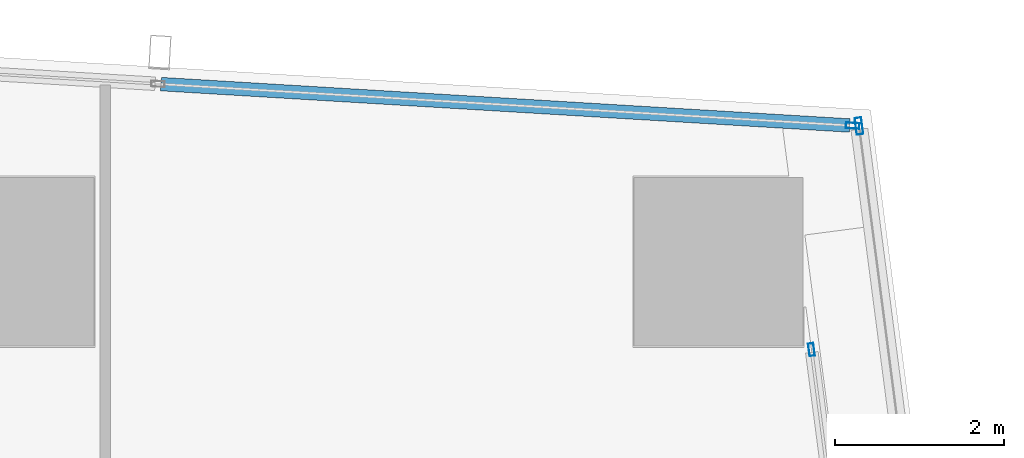
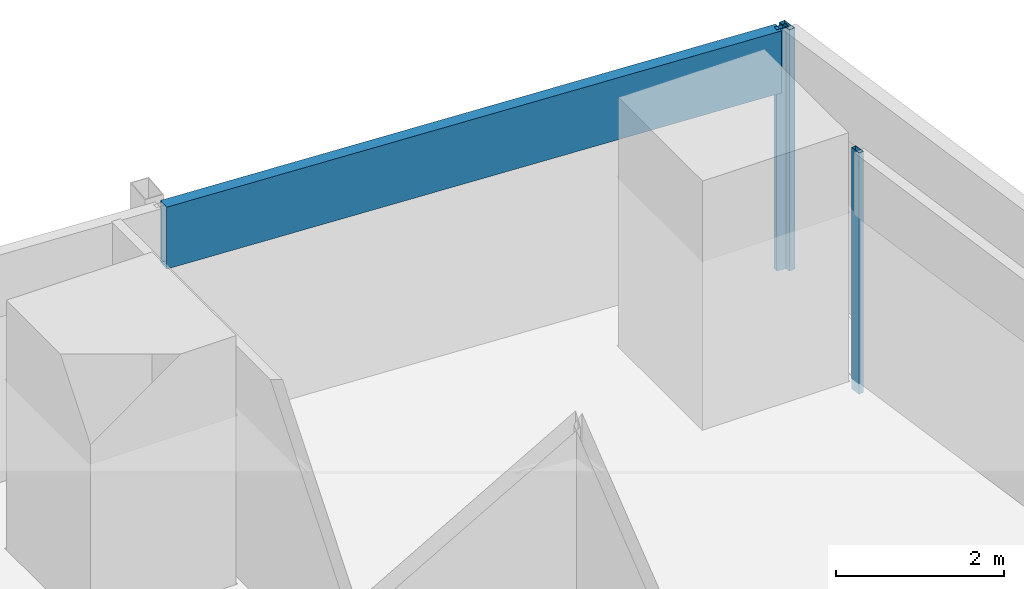
# One storey, part 20 of 39: 4 members, 3 elements without a shape of their own.
"""IFC4 building model written with IfcOpenShell, lengths in metres."""

import ifcopenshell
import ifcopenshell.guid

model = None  # the IFC model being written
_history = None  # IfcOwnerHistory: only IFC2X3 demands one
_inside = {}  # id of a spatial element -> (the spatial element, [elements in it])
_under = {}  # id of a project, library or spatial element -> (it, [spatial elements below it])
_declared = {}  # id of a project -> (the project, [libraries it declares])
_typed = {}  # id of a type object -> (the type object, [elements of that type])
_made_of = {}  # id of a material, layer set ... -> (it, [elements and type objects made of it])


def new_model(schema):
    """Start an empty IFC model of exactly this schema.

    Asked for "IFC4X3", IfcOpenShell would pick the latest addendum, in which some entities
    have other attributes; the version numbers below select the first issue.
    IFC2X3 requires an IfcOwnerHistory on every rooted entity: one is made here for all.
    """
    global model, _history
    if schema == "IFC4X3":
        model = ifcopenshell.file(schema_version=(4, 3, 0, 0))
    else:
        model = ifcopenshell.file(schema=schema)
    _inside.clear()
    _under.clear()
    _declared.clear()
    _typed.clear()
    _made_of.clear()
    _history = None
    if model.schema == "IFC2X3":
        org = make("IfcOrganization", Name="unknown")
        user = make(
            "IfcPersonAndOrganization",
            ThePerson=make("IfcPerson", FamilyName="unknown"),
            TheOrganization=org,
        )
        app = make(
            "IfcApplication",
            ApplicationDeveloper=org,
            Version="unknown",
            ApplicationFullName="unknown",
            ApplicationIdentifier="unknown",
        )
        _history = make(
            "IfcOwnerHistory",
            OwningUser=user,
            OwningApplication=app,
            ChangeAction="ADDED",
            CreationDate=0,
        )
    return model


def make(cls, **values):
    """One entity of the class cls with the attributes given. An attribute that is None is left unset."""
    return model.create_entity(
        cls, **{name: value for name, value in values.items() if value is not None}
    )


def rooted(cls, **values):
    """An entity with a GlobalId (a new one), such as an element, a storey or a relation."""
    return make(cls, GlobalId=ifcopenshell.guid.new(), OwnerHistory=_history, **values)


def si_unit(unit_type, name, prefix=None):
    """IfcSIUnit, for example si_unit("LENGTHUNIT", "METRE", prefix="MILLI")."""
    return make("IfcSIUnit", UnitType=unit_type, Prefix=prefix, Name=name)


def assignment(units):
    """IfcUnitAssignment: the units of a project."""
    return None if units is None else make("IfcUnitAssignment", Units=units)


def point(xyz):
    """IfcCartesianPoint."""
    return None if xyz is None else make("IfcCartesianPoint", Coordinates=xyz)


def direction(xyz):
    """IfcDirection."""
    return None if xyz is None else make("IfcDirection", DirectionRatios=xyz)


def frame(location, z_axis=None, x_axis=None):
    """IfcAxis2Placement3D, a coordinate frame: its origin and axes. An axis left out is left unset."""
    return make(
        "IfcAxis2Placement3D",
        Location=point(location),
        Axis=direction(z_axis),
        RefDirection=direction(x_axis),
    )


def frame_2d(location, x_axis=None):
    """IfcAxis2Placement2D, a coordinate frame in the plane: its origin and x axis."""
    return make(
        "IfcAxis2Placement2D", Location=point(location), RefDirection=direction(x_axis)
    )


def origin():
    """The frame at (0, 0, 0) with its axes left unset."""
    return frame((0.0, 0.0, 0.0))


def origin_2d():
    """The frame at (0, 0) in the plane with its x axis left unset."""
    return frame_2d((0.0, 0.0))


def place(relative_to, where):
    """IfcLocalPlacement: puts the frame where relative to a parent placement (None: the world)."""
    return make(
        "IfcLocalPlacement", PlacementRelTo=relative_to, RelativePlacement=where
    )


def context(
    kind, dimensions, precision=None, world=None, true_north=None, identifier=None
):
    """IfcGeometricRepresentationContext, for example the 3D "Model" context."""
    return make(
        "IfcGeometricRepresentationContext",
        ContextIdentifier=identifier,
        ContextType=kind,
        CoordinateSpaceDimension=dimensions,
        Precision=precision,
        WorldCoordinateSystem=world,
        TrueNorth=true_north,
    )


def subcontext(parent, identifier, kind, view, scale=None):
    """IfcGeometricRepresentationSubContext, for example "Body" below "Model"."""
    return make(
        "IfcGeometricRepresentationSubContext",
        ContextIdentifier=identifier,
        ContextType=kind,
        ParentContext=parent,
        TargetScale=scale,
        TargetView=view,
    )


def project(units=None, contexts=None):
    """IfcProject with its units and contexts."""
    return rooted(
        "IfcProject",
        Name="project",
        RepresentationContexts=contexts,
        UnitsInContext=assignment(units),
    )


def spatial(cls, under=None, at=None, **own):
    """A site, building, storey or space (cls), placed at a placement, below another one or the project."""
    s = rooted(cls, ObjectPlacement=at, **own)
    if under is not None:
        _under.setdefault(under.id(), (under, []))[1].append(s)
    return s


def profile(cls, at=None, kind="AREA", **sizes):
    """A parametric profile (cls). Its sizes go by their IFC names, for example OverallWidth=200.0."""
    return make(cls, ProfileType=kind, Position=at, **sizes)


def hollow_rectangle(**sizes):
    """IfcRectangleHollowProfileDef."""
    return profile("IfcRectangleHollowProfileDef", **sizes)


def extrude(swept, where, along, depth):
    """IfcExtrudedAreaSolid: the profile swept, set in the frame where, extruded along a direction by depth."""
    return make(
        "IfcExtrudedAreaSolid",
        SweptArea=swept,
        Position=where,
        ExtrudedDirection=direction(along),
        Depth=depth,
    )


def shape(context_of_items, identifier, shape_type, items):
    """IfcShapeRepresentation: the items that make up one representation, for example the "Body"."""
    return make(
        "IfcShapeRepresentation",
        ContextOfItems=context_of_items,
        RepresentationIdentifier=identifier,
        RepresentationType=shape_type,
        Items=items,
    )


def material(Name=None, Category=None):
    """IfcMaterial."""
    return make("IfcMaterial", Name=Name, Category=Category)


def material_profile(
    of_material, cross_section, Name=None, Category=None, Priority=None
):
    """IfcMaterialProfile: a cross section and its material."""
    return make(
        "IfcMaterialProfile",
        Name=Name,
        Material=of_material,
        Profile=cross_section,
        Priority=Priority,
        Category=Category,
    )


def profile_set(profiles, Name=None, composite=None):
    """IfcMaterialProfileSet."""
    return make(
        "IfcMaterialProfileSet",
        Name=Name,
        MaterialProfiles=profiles,
        CompositeProfile=composite,
    )


def made_of(thing, what):
    """Note that an element or type object is made of a material, layer set ...; save() writes the relation."""
    if what is not None:
        _made_of.setdefault(what.id(), (what, []))[1].append(thing)
    return thing


def type_object(cls, material=None, **own):
    """A type object (cls), such as IfcWallType, which elements share."""
    return made_of(rooted(cls, **own), material)


def element(
    cls,
    number,
    at=None,
    inside=None,
    cuts=None,
    type_object=None,
    material=None,
    context=None,
    identifier="Body",
    shape_type=None,
    held_by="IfcProductDefinitionShape",
    body=None,
    shapes=None,
    **own,
):
    """One element of the class cls, such as IfcWall. Its Tag is "e" and its number.

    at: its placement. inside: the storey or other place that contains it. cuts: it is an
    opening in that element (IfcRelVoidsElement). A single representation is given by context,
    identifier, shape_type and body (its items); several are given by shapes. held_by: the class
    of the entity that holds the representations. save() writes the other relations.
    """
    e = rooted(cls, Tag="e%d" % number, ObjectPlacement=at, **own)
    if body is not None:
        shapes = [shape(context, identifier, shape_type, body)]
    if shapes is not None:
        e.Representation = make(held_by, Representations=shapes)
    if inside is not None:
        _inside.setdefault(inside.id(), (inside, []))[1].append(e)
    if cuts is not None:
        rooted(
            "IfcRelVoidsElement", RelatingBuildingElement=cuts, RelatedOpeningElement=e
        )
    if type_object is not None:
        _typed.setdefault(type_object.id(), (type_object, []))[1].append(e)
    return made_of(e, material)


def aggregate(whole, parts):
    """IfcRelAggregates: a whole, such as a stair, and the parts it consists of."""
    return rooted("IfcRelAggregates", RelatingObject=whole, RelatedObjects=parts)


def save(model, path):
    """Write the relations noted so far, then the file.

    IfcRelAggregates (storeys below a building ...), IfcRelContainedInSpatialStructure (elements
    in a storey), IfcRelDefinesByType, IfcRelAssociatesMaterial and IfcRelDeclares: one each for
    every whole, place, type object, material and project.
    """
    for whole, parts in _under.values():
        aggregate(whole, parts)
    for where, things in _inside.values():
        rooted(
            "IfcRelContainedInSpatialStructure",
            RelatedElements=things,
            RelatingStructure=where,
        )
    for kind, things in _typed.values():
        rooted("IfcRelDefinesByType", RelatedObjects=things, RelatingType=kind)
    for what, things in _made_of.values():
        rooted("IfcRelAssociatesMaterial", RelatedObjects=things, RelatingMaterial=what)
    for by, libraries in _declared.values():
        rooted("IfcRelDeclares", RelatingContext=by, RelatedDefinitions=libraries)
    model.write(path)


model = new_model("IFC4")

# Units and contexts
model_context = context("Model", 3, precision=1e-05, world=origin(), true_north=direction((0.0, 1.0)))
body_context = subcontext(model_context, "Body", "Model", "MODEL_VIEW")
ifc_project = project(units=[si_unit("LENGTHUNIT", "METRE"), si_unit("AREAUNIT", "SQUARE_METRE"), si_unit("VOLUMEUNIT", "CUBIC_METRE"), si_unit("PLANEANGLEUNIT", "RADIAN"), si_unit("MASSUNIT", "GRAM", prefix="KILO")], contexts=[model_context])

# Site, building, storey
site_placement = place(None, origin())
site = spatial("IfcSite", under=ifc_project, at=site_placement, CompositionType="ELEMENT")
building_placement = place(site_placement, origin())
building = spatial("IfcBuilding", under=site, at=building_placement, Name="Rekha Terrace Tower", CompositionType="ELEMENT")
storey_placement = place(building_placement, frame((0.0, 0.0, 147.800048828125)))
storey = spatial("IfcBuildingStorey", under=building, at=storey_placement, Name="L37", CompositionType="ELEMENT", Elevation=147.800048828125)

# Curtain wall, member
ifc_material_1 = material(Name="Aluminium framing", Category="aluminium")
curtain_wall_type_1 = type_object("IfcCurtainWallType", Name="CW1 double skin inner glazing", PredefinedType="USERDEFINED", material=ifc_material_1)
curtain_wall_1_placement = place(storey_placement, origin())
curtain_wall_1 = element("IfcCurtainWall", 1, at=curtain_wall_1_placement, inside=storey, type_object=curtain_wall_type_1, Name="CW1 double skin inner glazing", ObjectType="DOUBLE SKIN INNER GLAZING", PredefinedType="USERDEFINED")
ifc_material_2 = material(Name="Aluminium mullion section", Category="aluminium")
ifc_material_profile_1 = material_profile(ifc_material_2, hollow_rectangle(XDim=0.06494140625, YDim=0.14990234375, WallThickness=0.00390625, at=origin_2d()), Name="AL RHS 65x150")
ifc_profile_set_1 = profile_set([ifc_material_profile_1], Name="Aluminium mullion section")
member_type_1 = type_object("IfcMemberType", Name="CW1 mullion RHS 65 x 150", PredefinedType="MULLION", material=ifc_profile_set_1)
member_1_placement = place(storey_placement, frame((68.30078125, 57.76025390625, 0.0), z_axis=(0.0, 0.0, 1.0), x_axis=(-0.991629186237, -0.129118383675, 0.0)))
member_1 = element("IfcMember", 2, at=member_1_placement, type_object=member_type_1, Name="CW1 mullion 2", PredefinedType="MULLION", context=body_context, shape_type="SweptSolid", body=[
    extrude(hollow_rectangle(XDim=0.06494140625, YDim=0.14990234375, WallThickness=0.00390625, at=origin_2d()), origin(), (0.0, 0.0, 1.0), 3.5),
])
aggregate(curtain_wall_1, [member_1])

curtain_wall_type_2 = type_object("IfcCurtainWallType", Name="CW2 double skin outer glazing", PredefinedType="USERDEFINED", material=ifc_material_1)
curtain_wall_2_placement = place(storey_placement, origin())
curtain_wall_2 = element("IfcCurtainWall", 3, at=curtain_wall_2_placement, inside=storey, type_object=curtain_wall_type_2, Name="CW2 double skin outer glazing", ObjectType="DOUBLE SKIN OUTER GLAZING", PredefinedType="USERDEFINED")
ifc_material_profile_2 = material_profile(ifc_material_2, hollow_rectangle(XDim=0.080078125, YDim=0.199951171875, WallThickness=0.00390625, at=origin_2d()), Name="AL RHS 80x200")
ifc_profile_set_2 = profile_set([ifc_material_profile_2], Name="Aluminium mullion section")
member_type_2 = type_object("IfcMemberType", Name="CW2 mullion RHS 80 x 200", PredefinedType="MULLION", material=ifc_profile_set_2)
member_2_placement = place(storey_placement, frame((68.863525390625, 60.408447265625, 0.0), z_axis=(0.0, 0.0, 1.0), x_axis=(-0.991629186244, -0.129118383623, 0.0)))
member_2 = element("IfcMember", 4, at=member_2_placement, type_object=member_type_2, Name="CW2 mullion 3", PredefinedType="MULLION", context=body_context, shape_type="SweptSolid", body=[
    extrude(hollow_rectangle(XDim=0.080078125, YDim=0.199951171875, WallThickness=0.00390625, at=origin_2d()), origin(), (0.0, 0.0, 1.0), 3.5),
])
aggregate(curtain_wall_2, [member_2])

# Curtain wall, members
curtain_wall_type_3 = type_object("IfcCurtainWallType", Name="CW3 north unitised glazing", PredefinedType="USERDEFINED", material=ifc_material_1)
curtain_wall_3_placement = place(storey_placement, origin())
curtain_wall_3 = element("IfcCurtainWall", 5, at=curtain_wall_3_placement, inside=storey, type_object=curtain_wall_type_3, Name="CW3 unitised curtain wall", ObjectType="UNITISED CURTAIN WALL", PredefinedType="USERDEFINED")
ifc_material_profile_3 = material_profile(ifc_material_2, hollow_rectangle(XDim=0.070068359375, YDim=0.159912109375, WallThickness=0.00390625, at=origin_2d()), Name="AL RHS 70x160")
ifc_profile_set_3 = profile_set([ifc_material_profile_3], Name="Aluminium mullion section")
member_type_3 = type_object("IfcMemberType", Name="CW3 mullion RHS 70 x 160", PredefinedType="MULLION", material=ifc_profile_set_3)
member_3_placement = place(storey_placement, frame((68.7880859375, 60.412353515625, 0.0), z_axis=(0.0, 0.0, 1.0), x_axis=(-0.059987926837, -0.998199102701, 0.0)))
member_3 = element("IfcMember", 6, at=member_3_placement, type_object=member_type_3, Name="CW3 mullion 1", PredefinedType="MULLION", context=body_context, shape_type="SweptSolid", body=[
    extrude(hollow_rectangle(XDim=0.070068359375, YDim=0.159912109375, WallThickness=0.00390625, at=origin_2d()), origin(), (0.0, 0.0, 1.0), 3.5),
])
ifc_material_3 = material(Name="Insulated aluminium spandrel box", Category="aluminium")
ifc_material_profile_4 = material_profile(ifc_material_3, hollow_rectangle(XDim=0.159912109375, YDim=0.89990234375, WallThickness=0.0029296875, at=origin_2d()), Name="AL SPANDREL BOX 160x900")
ifc_profile_set_4 = profile_set([ifc_material_profile_4], Name="Insulated aluminium spandrel box")
member_type_4 = type_object("IfcMemberType", Name="CW3 spandrel transom 160 x 900", PredefinedType="USERDEFINED", material=ifc_profile_set_4)
member_4_placement = place(storey_placement, frame((68.753173828125, 60.41455078125, 3.050048828125), z_axis=(-0.998198874769, 0.05999171951, 0.0), x_axis=(-0.05999171951, -0.998198874769, 0.0)))
member_4 = element("IfcMember", 7, at=member_4_placement, type_object=member_type_4, Name="CW3 spandrel transom 1", ObjectType="TRANSOM", PredefinedType="USERDEFINED", context=body_context, shape_type="SweptSolid", body=[
    extrude(hollow_rectangle(XDim=0.159912109375, YDim=0.89990234375, WallThickness=0.0029296875, at=origin_2d()), origin(), (0.0, 0.0, 1.0), 8.171630859375),
])
aggregate(curtain_wall_3, [member_3, member_4])

save(model, "model.ifc")
